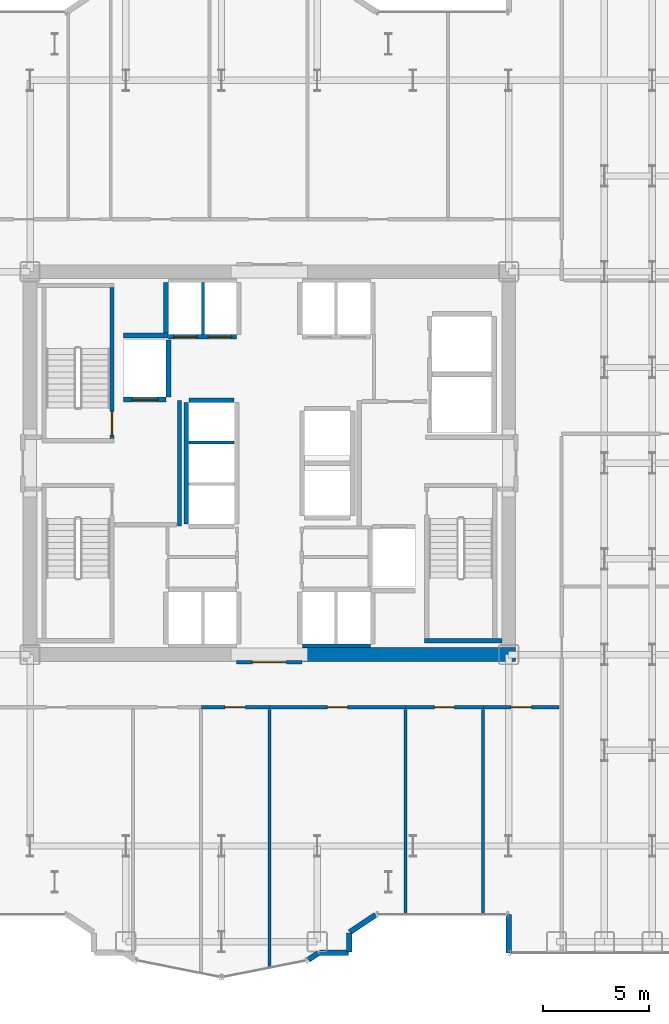
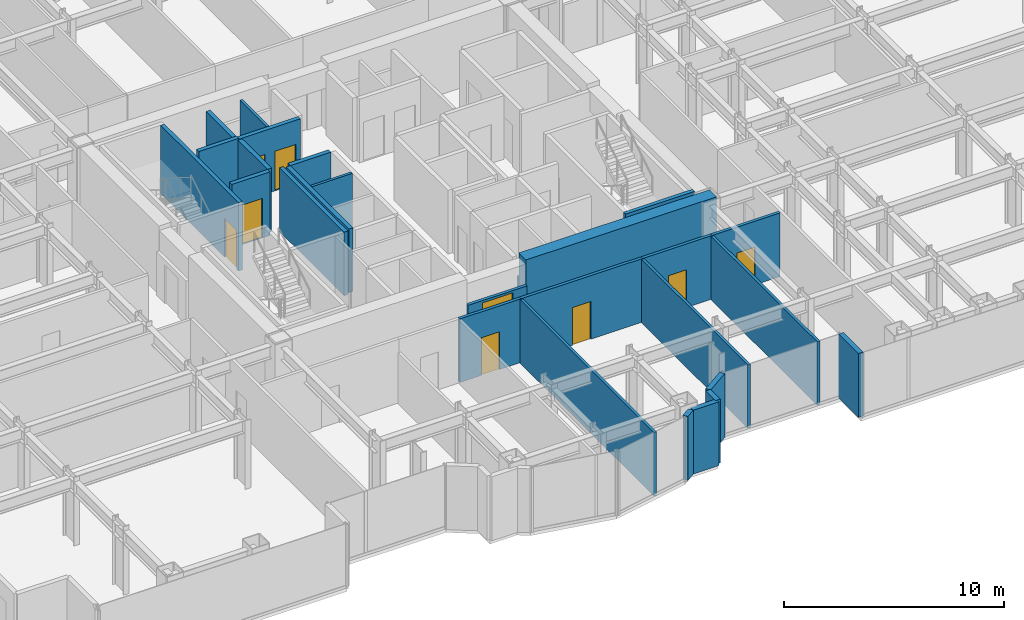
# One storey, part 21 of 25: 27 walls, 9 doors, 9 openings.
"""IFC4 building model written with IfcOpenShell, lengths in metres."""

import ifcopenshell
import ifcopenshell.guid

model = None  # the IFC model being written
_history = None  # IfcOwnerHistory: only IFC2X3 demands one
_inside = {}  # id of a spatial element -> (the spatial element, [elements in it])
_under = {}  # id of a project, library or spatial element -> (it, [spatial elements below it])
_declared = {}  # id of a project -> (the project, [libraries it declares])
_typed = {}  # id of a type object -> (the type object, [elements of that type])
_made_of = {}  # id of a material, layer set ... -> (it, [elements and type objects made of it])


def new_model(schema):
    """Start an empty IFC model of exactly this schema.

    Asked for "IFC4X3", IfcOpenShell would pick the latest addendum, in which some entities
    have other attributes; the version numbers below select the first issue.
    IFC2X3 requires an IfcOwnerHistory on every rooted entity: one is made here for all.
    """
    global model, _history
    if schema == "IFC4X3":
        model = ifcopenshell.file(schema_version=(4, 3, 0, 0))
    else:
        model = ifcopenshell.file(schema=schema)
    _inside.clear()
    _under.clear()
    _declared.clear()
    _typed.clear()
    _made_of.clear()
    _history = None
    if model.schema == "IFC2X3":
        org = make("IfcOrganization", Name="unknown")
        user = make(
            "IfcPersonAndOrganization",
            ThePerson=make("IfcPerson", FamilyName="unknown"),
            TheOrganization=org,
        )
        app = make(
            "IfcApplication",
            ApplicationDeveloper=org,
            Version="unknown",
            ApplicationFullName="unknown",
            ApplicationIdentifier="unknown",
        )
        _history = make(
            "IfcOwnerHistory",
            OwningUser=user,
            OwningApplication=app,
            ChangeAction="ADDED",
            CreationDate=0,
        )
    return model


def make(cls, **values):
    """One entity of the class cls with the attributes given. An attribute that is None is left unset."""
    return model.create_entity(
        cls, **{name: value for name, value in values.items() if value is not None}
    )


def rooted(cls, **values):
    """An entity with a GlobalId (a new one), such as an element, a storey or a relation."""
    return make(cls, GlobalId=ifcopenshell.guid.new(), OwnerHistory=_history, **values)


def si_unit(unit_type, name, prefix=None):
    """IfcSIUnit, for example si_unit("LENGTHUNIT", "METRE", prefix="MILLI")."""
    return make("IfcSIUnit", UnitType=unit_type, Prefix=prefix, Name=name)


def assignment(units):
    """IfcUnitAssignment: the units of a project."""
    return None if units is None else make("IfcUnitAssignment", Units=units)


def point(xyz):
    """IfcCartesianPoint."""
    return None if xyz is None else make("IfcCartesianPoint", Coordinates=xyz)


def direction(xyz):
    """IfcDirection."""
    return None if xyz is None else make("IfcDirection", DirectionRatios=xyz)


def frame(location, z_axis=None, x_axis=None):
    """IfcAxis2Placement3D, a coordinate frame: its origin and axes. An axis left out is left unset."""
    return make(
        "IfcAxis2Placement3D",
        Location=point(location),
        Axis=direction(z_axis),
        RefDirection=direction(x_axis),
    )


def frame_2d(location, x_axis=None):
    """IfcAxis2Placement2D, a coordinate frame in the plane: its origin and x axis."""
    return make(
        "IfcAxis2Placement2D", Location=point(location), RefDirection=direction(x_axis)
    )


def origin():
    """The frame at (0, 0, 0) with its axes left unset."""
    return frame((0.0, 0.0, 0.0))


def place(relative_to, where):
    """IfcLocalPlacement: puts the frame where relative to a parent placement (None: the world)."""
    return make(
        "IfcLocalPlacement", PlacementRelTo=relative_to, RelativePlacement=where
    )


def context(
    kind, dimensions, precision=None, world=None, true_north=None, identifier=None
):
    """IfcGeometricRepresentationContext, for example the 3D "Model" context."""
    return make(
        "IfcGeometricRepresentationContext",
        ContextIdentifier=identifier,
        ContextType=kind,
        CoordinateSpaceDimension=dimensions,
        Precision=precision,
        WorldCoordinateSystem=world,
        TrueNorth=true_north,
    )


def subcontext(parent, identifier, kind, view, scale=None):
    """IfcGeometricRepresentationSubContext, for example "Body" below "Model"."""
    return make(
        "IfcGeometricRepresentationSubContext",
        ContextIdentifier=identifier,
        ContextType=kind,
        ParentContext=parent,
        TargetScale=scale,
        TargetView=view,
    )


def project(units=None, contexts=None):
    """IfcProject with its units and contexts."""
    return rooted(
        "IfcProject",
        Name="project",
        RepresentationContexts=contexts,
        UnitsInContext=assignment(units),
    )


def spatial(cls, under=None, at=None, **own):
    """A site, building, storey or space (cls), placed at a placement, below another one or the project."""
    s = rooted(cls, ObjectPlacement=at, **own)
    if under is not None:
        _under.setdefault(under.id(), (under, []))[1].append(s)
    return s


def profile(cls, at=None, kind="AREA", **sizes):
    """A parametric profile (cls). Its sizes go by their IFC names, for example OverallWidth=200.0."""
    return make(cls, ProfileType=kind, Position=at, **sizes)


def rectangle(**sizes):
    """IfcRectangleProfileDef."""
    return profile("IfcRectangleProfileDef", **sizes)


def extrude(swept, where, along, depth):
    """IfcExtrudedAreaSolid: the profile swept, set in the frame where, extruded along a direction by depth."""
    return make(
        "IfcExtrudedAreaSolid",
        SweptArea=swept,
        Position=where,
        ExtrudedDirection=direction(along),
        Depth=depth,
    )


def shape(context_of_items, identifier, shape_type, items):
    """IfcShapeRepresentation: the items that make up one representation, for example the "Body"."""
    return make(
        "IfcShapeRepresentation",
        ContextOfItems=context_of_items,
        RepresentationIdentifier=identifier,
        RepresentationType=shape_type,
        Items=items,
    )


def source(mapping_origin, context_of_items, identifier, shape_type, items):
    """IfcRepresentationMap: a shape defined once, which mapped items show again and again."""
    return make(
        "IfcRepresentationMap",
        MappingOrigin=mapping_origin,
        MappedRepresentation=shape(context_of_items, identifier, shape_type, items),
    )


def transform(
    local_origin,
    x_axis=None,
    y_axis=None,
    z_axis=None,
    scale=None,
    scale2=None,
    scale3=None,
    uniform=True,
):
    """IfcCartesianTransformationOperator3D, or its non-uniform kind. x_axis, y_axis, z_axis: its Axis1, 2, 3."""
    if uniform:
        return make(
            "IfcCartesianTransformationOperator3D",
            Axis1=direction(x_axis),
            Axis2=direction(y_axis),
            LocalOrigin=point(local_origin),
            Scale=scale,
            Axis3=direction(z_axis),
        )
    return make(
        "IfcCartesianTransformationOperator3DnonUniform",
        Axis1=direction(x_axis),
        Axis2=direction(y_axis),
        LocalOrigin=point(local_origin),
        Scale=scale,
        Axis3=direction(z_axis),
        Scale2=scale2,
        Scale3=scale3,
    )


def mapped(mapping_source, mapping_target):
    """IfcMappedItem: shows the shape of a source again, moved by a transform."""
    return make(
        "IfcMappedItem", MappingSource=mapping_source, MappingTarget=mapping_target
    )


def material(Name=None, Category=None):
    """IfcMaterial."""
    return make("IfcMaterial", Name=Name, Category=Category)


def layer(
    of_material, thickness, ventilated=None, Name=None, Category=None, Priority=None
):
    """IfcMaterialLayer: one layer of a wall or slab, of a material (None: an air gap)."""
    return make(
        "IfcMaterialLayer",
        Material=of_material,
        LayerThickness=thickness,
        IsVentilated=ventilated,
        Name=Name,
        Category=Category,
        Priority=Priority,
    )


def layer_set(layers, Name=None):
    """IfcMaterialLayerSet."""
    return make("IfcMaterialLayerSet", MaterialLayers=layers, LayerSetName=Name)


def made_of(thing, what):
    """Note that an element or type object is made of a material, layer set ...; save() writes the relation."""
    if what is not None:
        _made_of.setdefault(what.id(), (what, []))[1].append(thing)
    return thing


def type_object(cls, material=None, **own):
    """A type object (cls), such as IfcWallType, which elements share."""
    return made_of(rooted(cls, **own), material)


def element(
    cls,
    number,
    at=None,
    inside=None,
    cuts=None,
    type_object=None,
    material=None,
    context=None,
    identifier="Body",
    shape_type=None,
    held_by="IfcProductDefinitionShape",
    body=None,
    shapes=None,
    **own,
):
    """One element of the class cls, such as IfcWall. Its Tag is "e" and its number.

    at: its placement. inside: the storey or other place that contains it. cuts: it is an
    opening in that element (IfcRelVoidsElement). A single representation is given by context,
    identifier, shape_type and body (its items); several are given by shapes. held_by: the class
    of the entity that holds the representations. save() writes the other relations.
    """
    e = rooted(cls, Tag="e%d" % number, ObjectPlacement=at, **own)
    if body is not None:
        shapes = [shape(context, identifier, shape_type, body)]
    if shapes is not None:
        e.Representation = make(held_by, Representations=shapes)
    if inside is not None:
        _inside.setdefault(inside.id(), (inside, []))[1].append(e)
    if cuts is not None:
        rooted(
            "IfcRelVoidsElement", RelatingBuildingElement=cuts, RelatedOpeningElement=e
        )
    if type_object is not None:
        _typed.setdefault(type_object.id(), (type_object, []))[1].append(e)
    return made_of(e, material)


def fill(opening, filler):
    """IfcRelFillsElement: the door or window that sits in an opening."""
    return rooted(
        "IfcRelFillsElement",
        RelatingOpeningElement=opening,
        RelatedBuildingElement=filler,
    )


def aggregate(whole, parts):
    """IfcRelAggregates: a whole, such as a stair, and the parts it consists of."""
    return rooted("IfcRelAggregates", RelatingObject=whole, RelatedObjects=parts)


def save(model, path):
    """Write the relations noted so far, then the file.

    IfcRelAggregates (storeys below a building ...), IfcRelContainedInSpatialStructure (elements
    in a storey), IfcRelDefinesByType, IfcRelAssociatesMaterial and IfcRelDeclares: one each for
    every whole, place, type object, material and project.
    """
    for whole, parts in _under.values():
        aggregate(whole, parts)
    for where, things in _inside.values():
        rooted(
            "IfcRelContainedInSpatialStructure",
            RelatedElements=things,
            RelatingStructure=where,
        )
    for kind, things in _typed.values():
        rooted("IfcRelDefinesByType", RelatedObjects=things, RelatingType=kind)
    for what, things in _made_of.values():
        rooted("IfcRelAssociatesMaterial", RelatedObjects=things, RelatingMaterial=what)
    for by, libraries in _declared.values():
        rooted("IfcRelDeclares", RelatingContext=by, RelatedDefinitions=libraries)
    model.write(path)


model = new_model("IFC4")

# Units and contexts
model_context = context("Model", 3, precision=1e-05, world=origin(), true_north=direction((0.0, 1.0)))
body_context = subcontext(model_context, "Body", "Model", "MODEL_VIEW")
ifc_project = project(units=[si_unit("LENGTHUNIT", "METRE"), si_unit("AREAUNIT", "SQUARE_METRE"), si_unit("VOLUMEUNIT", "CUBIC_METRE"), si_unit("PLANEANGLEUNIT", "RADIAN"), si_unit("MASSUNIT", "GRAM", prefix="KILO")], contexts=[model_context])

# Site, building, storey
site_placement = place(None, origin())
site = spatial("IfcSite", under=ifc_project, at=site_placement, CompositionType="ELEMENT")
building_placement = place(site_placement, origin())
building = spatial("IfcBuilding", under=site, at=building_placement, Name="Nefas-Gora Pilgrimage Tower", CompositionType="ELEMENT")
storey_placement = place(building_placement, frame((0.0, 0.0, 74.800048828125)))
storey = spatial("IfcBuildingStorey", under=building, at=storey_placement, Name="L17", CompositionType="ELEMENT", Elevation=74.800048828125)

# Walls
ifc_material_1 = material(Name="Concrete C60/75", Category="concrete")
ifc_layer_1 = layer(ifc_material_1, 0.64990234375)
ifc_layer_set_1 = layer_set([ifc_layer_1], Name="Concrete C60/75")
wall_type_1 = type_object("IfcWallType", Name="SW-CORE-650", PredefinedType="SHEAR", material=ifc_layer_set_1)
shared_shape_1 = source(origin(), body_context, "Body", "SweptSolid", [
    extrude(rectangle(XDim=10.02490234375, YDim=0.64990234375, at=frame_2d((5.012451171875, 0.0))), origin(), (0.0, 0.0, 1.0), 3.800048828125),
])
wall_1_placement = place(storey_placement, frame((1.550048828125, -9.0, 0.0), z_axis=(0.0, 0.0, 1.0), x_axis=(1.0, 0.0, 0.0)))
element("IfcWall", 1, at=wall_1_placement, inside=storey, type_object=wall_type_1, Name="L17 Core Shear Wall S-East", PredefinedType="SHEAR", context=body_context, shape_type="MappedRepresentation", body=[
    mapped(shared_shape_1, transform((0.0, 0.0, 0.0), x_axis=(1.0, 0.0, 0.0), y_axis=(0.0, 1.0, 0.0), z_axis=(0.0, 0.0, 1.0), scale=1.0)),
])
ifc_material_2 = material(Name="Precast concrete C40/50", Category="concrete")
ifc_layer_2 = layer(ifc_material_2, 0.260009765625)
ifc_layer_set_2 = layer_set([ifc_layer_2], Name="Precast concrete C40/50")
wall_type_2 = type_object("IfcWallType", Name="EW-PORTAL-260", PredefinedType="SOLIDWALL", material=ifc_layer_set_2)
shared_shape_2 = source(origin(), body_context, "Body", "SweptSolid", [
    extrude(rectangle(XDim=1.800048828125, YDim=0.260009765625, at=frame_2d((0.89990234375, 0.0))), origin(), (0.0, 0.0, 1.0), 3.550048828125),
])
wall_2_placement = place(storey_placement, frame((11.25, -21.219970703125, 0.0), z_axis=(0.0, 0.0, 1.0), x_axis=(0.0, -1.0, 0.0)))
element("IfcWall", 2, at=wall_2_placement, inside=storey, type_object=wall_type_2, Name="L17 Lobe Shoulder Precast Spandrel Pier 1", PredefinedType="SOLIDWALL", context=body_context, shape_type="MappedRepresentation", body=[
    mapped(shared_shape_2, transform((0.0, 0.0, 0.0), x_axis=(1.0, 0.0, 0.0), y_axis=(0.0, 1.0, 0.0), z_axis=(0.0, 0.0, 1.0), scale=1.0)),
])
shared_shape_3 = source(origin(), body_context, "Body", "SweptSolid", [
    extrude(rectangle(XDim=1.468994140625, YDim=0.260009765625, at=frame_2d((0.734375, 0.0))), origin(), (0.0, 0.0, 1.0), 3.550048828125),
])
wall_3_placement = place(storey_placement, frame((3.773193359375, -22.0517578125, 0.0), z_axis=(0.0, 0.0, 1.0), x_axis=(0.831461760506, 0.555581983884, 0.0)))
element("IfcWall", 3, at=wall_3_placement, inside=storey, type_object=wall_type_2, Name="L17 Lobe Shoulder Precast Spandrel Pier 36", PredefinedType="SOLIDWALL", context=body_context, shape_type="MappedRepresentation", body=[
    mapped(shared_shape_3, transform((0.0, 0.0, 0.0), x_axis=(1.0, 0.0, 0.0), y_axis=(0.0, 1.0, 0.0), z_axis=(0.0, 0.0, 1.0), scale=1.0)),
])
shared_shape_4 = source(origin(), body_context, "Body", "SweptSolid", [
    extrude(rectangle(XDim=0.896728515625, YDim=0.260009765625, at=frame_2d((0.4482421875, 0.0))), origin(), (0.0, 0.0, 1.0), 3.550048828125),
])
wall_4_placement = place(storey_placement, frame((3.75, -22.991943359375, 0.0), z_axis=(0.0, 0.0, 1.0), x_axis=(0.0, 1.0, 0.0)))
element("IfcWall", 4, at=wall_4_placement, inside=storey, type_object=wall_type_2, Name="L17 Lobe Shoulder Precast Spandrel Pier 35", PredefinedType="SOLIDWALL", context=body_context, shape_type="MappedRepresentation", body=[
    mapped(shared_shape_4, transform((0.0, 0.0, 0.0), x_axis=(1.0, 0.0, 0.0), y_axis=(0.0, 1.0, 0.0), z_axis=(0.0, 0.0, 1.0), scale=1.0)),
])
shared_shape_5 = source(origin(), body_context, "Body", "SweptSolid", [
    extrude(rectangle(XDim=1.369873046875, YDim=0.260009765625, at=frame_2d((0.68505859375, 0.0))), origin(), (0.0, 0.0, 1.0), 3.550048828125),
])
wall_5_placement = place(storey_placement, frame((2.35205078125, -23.02001953125, 0.0), z_axis=(0.0, 0.0, 1.0), x_axis=(1.0, 0.0, 0.0)))
element("IfcWall", 5, at=wall_5_placement, inside=storey, type_object=wall_type_2, Name="L17 Lobe Shoulder Precast Spandrel Pier 34", PredefinedType="SOLIDWALL", context=body_context, shape_type="MappedRepresentation", body=[
    mapped(shared_shape_5, transform((0.0, 0.0, 0.0), x_axis=(1.0, 0.0, 0.0), y_axis=(0.0, 1.0, 0.0), z_axis=(0.0, 0.0, 1.0), scale=1.0)),
])
shared_shape_6 = source(origin(), body_context, "Body", "SweptSolid", [
    extrude(rectangle(XDim=0.5654296875, YDim=0.260009765625, at=frame_2d((0.28271484375, 0.0))), origin(), (0.0, 0.0, 1.0), 3.550048828125),
])
wall_6_placement = place(storey_placement, frame((1.83056640625, -23.349609375, 0.0), z_axis=(0.0, 0.0, 1.0), x_axis=(0.831651492666, 0.555297933317, 0.0)))
element("IfcWall", 6, at=wall_6_placement, inside=storey, type_object=wall_type_2, Name="L17 Lobe Shoulder Precast Spandrel Pier 33", PredefinedType="SOLIDWALL", context=body_context, shape_type="MappedRepresentation", body=[
    mapped(shared_shape_6, transform((0.0, 0.0, 0.0), x_axis=(1.0, 0.0, 0.0), y_axis=(0.0, 1.0, 0.0), z_axis=(0.0, 0.0, 1.0), scale=1.0)),
])
ifc_material_3 = material(Name="Concrete C45/55", Category="concrete")
ifc_layer_3 = layer(ifc_material_3, 0.199951171875)
ifc_layer_set_3 = layer_set([ifc_layer_3], Name="Concrete C45/55")
wall_type_3 = type_object("IfcWallType", Name="IW-STAIR-200", PredefinedType="SOLIDWALL", material=ifc_layer_set_3)
shared_shape_7 = source(origin(), body_context, "Body", "SweptSolid", [
    extrude(rectangle(XDim=3.6298828125, YDim=0.199951171875, at=frame_2d((1.81494140625, 0.0))), origin(), (0.0, 0.0, 1.0), 3.800048828125),
])
wall_7_placement = place(storey_placement, frame((7.300048828125, -8.35009765625, 0.0), z_axis=(0.0, 0.0, 1.0), x_axis=(1.0, 0.0, 0.0)))
element("IfcWall", 7, at=wall_7_placement, inside=storey, type_object=wall_type_3, Name="L17 Stairwell Shear Wall ST-02-far", PredefinedType="SOLIDWALL", context=body_context, shape_type="MappedRepresentation", body=[
    mapped(shared_shape_7, transform((0.0, 0.0, 0.0), x_axis=(1.0, 0.0, 0.0), y_axis=(0.0, 1.0, 0.0), z_axis=(0.0, 0.0, 1.0), scale=1.0)),
])

# Wall, opening, door
shared_shape_8 = source(origin(), body_context, "Body", "SweptSolid", [
    extrude(rectangle(XDim=7.10009765625, YDim=0.199951171875, at=frame_2d((3.550048828125, 0.0))), origin(), (0.0, 0.0, 1.0), 3.800048828125),
])
wall_8_placement = place(storey_placement, frame((-7.39990234375, 1.14990234375, 0.0), z_axis=(0.0, 0.0, 1.0), x_axis=(0.0, 1.0, 0.0)))
wall_8 = element("IfcWall", 8, at=wall_8_placement, inside=storey, type_object=wall_type_3, Name="L17 Stairwell Shear Wall ST-01-left", PredefinedType="SOLIDWALL", context=body_context, shape_type="MappedRepresentation", body=[
    mapped(shared_shape_8, transform((0.0, 0.0, 0.0), x_axis=(1.0, 0.0, 0.0), y_axis=(0.0, 1.0, 0.0), z_axis=(0.0, 0.0, 1.0), scale=1.0)),
])
opening_1_placement = place(wall_8_placement, frame((0.179931640625, 0.0, 0.0)))
opening_1 = element("IfcOpeningElement", 9, at=opening_1_placement, cuts=wall_8, Name="Opening ID-ST1", PredefinedType="OPENING", context=body_context, shape_type="SweptSolid", body=[
    extrude(rectangle(XDim=1.10009765625, YDim=2.14990234375, at=frame_2d((0.550048828125, 1.074951171875))), frame((0.0, 0.10986328125, 0.0), z_axis=(0.0, -1.0, 0.0), x_axis=(1.0, 0.0, 0.0)), (0.0, 0.0, 1.0), 0.219970703125),
])
ifc_material_4 = material(Name="Painted galvanised steel fire stair door", Category="steel")
door_type_1 = type_object("IfcDoorType", Name="DR-INT-STAIR-1100", OperationType="NOTDEFINED", PredefinedType="DOOR", material=ifc_material_4)
shared_shape_9 = source(origin(), body_context, "Body", "SweptSolid", [
    extrude(rectangle(XDim=1.10009765625, YDim=2.14990234375, at=frame_2d((0.550048828125, 1.074951171875))), frame((0.0, 0.02490234375, 0.0), z_axis=(0.0, -1.0, 0.0), x_axis=(1.0, 0.0, 0.0)), (0.0, 0.0, 1.0), 0.050048828125),
])
door_1_placement = place(opening_1_placement, origin())
door_1 = element("IfcDoor", 10, at=door_1_placement, inside=storey, type_object=door_type_1, Name="L17 Protected Exit Stair Door ST-01", OperationType="SINGLE_SWING_LEFT", OverallHeight=2.14990234375, OverallWidth=1.10009765625, PredefinedType="DOOR", context=body_context, shape_type="MappedRepresentation", body=[
    mapped(shared_shape_9, transform((0.0, 0.0, 0.0), x_axis=(1.0, 0.0, 0.0), y_axis=(0.0, 1.0, 0.0), z_axis=(0.0, 0.0, 1.0), scale=1.0)),
])
fill(opening_1, door_1)

ifc_material_5 = material(Name="Concrete C40/50", Category="concrete")
ifc_layer_4 = layer(ifc_material_5, 0.219970703125)
ifc_layer_set_4 = layer_set([ifc_layer_4], Name="Concrete C40/50")
wall_type_4 = type_object("IfcWallType", Name="IW-SHAFT-220", PredefinedType="SOLIDWALL", material=ifc_layer_set_4)
shared_shape_10 = source(origin(), body_context, "Body", "SweptSolid", [
    extrude(rectangle(XDim=2.0, YDim=0.219970703125, at=frame_2d((1.0, 0.0))), origin(), (0.0, 0.0, 1.0), 3.534912109375),
])
wall_9_placement = place(storey_placement, frame((-6.85009765625, 2.989990234375, 0.0), z_axis=(0.0, 0.0, 1.0), x_axis=(1.0, 0.0, 0.0)))
wall_9 = element("IfcWall", 11, at=wall_9_placement, inside=storey, type_object=wall_type_4, Name="L17 Hoistway Wall FFL-01-S", PredefinedType="SOLIDWALL", context=body_context, shape_type="MappedRepresentation", body=[
    mapped(shared_shape_10, transform((0.0, 0.0, 0.0), x_axis=(1.0, 0.0, 0.0), y_axis=(0.0, 1.0, 0.0), z_axis=(0.0, 0.0, 1.0), scale=1.0)),
])
opening_2_placement = place(wall_9_placement, frame((0.39990234375, 0.0, 0.0)))
opening_2 = element("IfcOpeningElement", 12, at=opening_2_placement, cuts=wall_9, Name="Opening LD-FF", PredefinedType="OPENING", context=body_context, shape_type="SweptSolid", body=[
    extrude(rectangle(XDim=1.199951171875, YDim=2.199951171875, at=frame_2d((0.60009765625, 1.10009765625))), frame((0.0, 0.119873046875, 0.0), z_axis=(0.0, -1.0, 0.0), x_axis=(1.0, 0.0, 0.0)), (0.0, 0.0, 1.0), 0.239990234375),
])
ifc_material_6 = material(Name="Fire-service sliding lift landing door")
door_type_2 = type_object("IfcDoorType", Name="DR-LIFT-FSAE-1200", OperationType="SLIDING_TO_LEFT", PredefinedType="DOOR", material=ifc_material_6)
shared_shape_11 = source(origin(), body_context, "Body", "SweptSolid", [
    extrude(rectangle(XDim=1.199951171875, YDim=2.199951171875, at=frame_2d((0.60009765625, 1.10009765625))), frame((0.0, 0.02490234375, 0.0), z_axis=(0.0, -1.0, 0.0), x_axis=(1.0, 0.0, 0.0)), (0.0, 0.0, 1.0), 0.050048828125),
])
door_2_placement = place(opening_2_placement, origin())
door_2 = element("IfcDoor", 13, at=door_2_placement, inside=storey, type_object=door_type_2, Name="L17 Sliding Lift Landing Door FFL-01", OperationType="SLIDING_TO_LEFT", OverallHeight=2.199951171875, OverallWidth=1.199951171875, PredefinedType="DOOR", context=body_context, shape_type="MappedRepresentation", body=[
    mapped(shared_shape_11, transform((0.0, 0.0, 0.0), x_axis=(1.0, 0.0, 0.0), y_axis=(0.0, 1.0, 0.0), z_axis=(0.0, 0.0, 1.0), scale=1.0)),
])
fill(opening_2, door_2)

# Wall
shared_shape_12 = source(origin(), body_context, "Body", "SweptSolid", [
    extrude(rectangle(XDim=2.679931640625, YDim=0.219970703125, at=frame_2d((1.33984375, 0.0))), origin(), (0.0, 0.0, 1.0), 3.534912109375),
])
wall_10_placement = place(storey_placement, frame((-4.739990234375, 3.110107421875, 0.0), z_axis=(0.0, 0.0, 1.0), x_axis=(0.0, 1.0, 0.0)))
element("IfcWall", 14, at=wall_10_placement, inside=storey, type_object=wall_type_4, Name="L17 Hoistway Wall FFL-01-E", PredefinedType="SOLIDWALL", context=body_context, shape_type="MappedRepresentation", body=[
    mapped(shared_shape_12, transform((0.0, 0.0, 0.0), x_axis=(1.0, 0.0, 0.0), y_axis=(0.0, 1.0, 0.0), z_axis=(0.0, 0.0, 1.0), scale=1.0)),
])

# Wall, openings, doors
shared_shape_13 = source(origin(), body_context, "Body", "SweptSolid", [
    extrude(rectangle(XDim=3.199951171875, YDim=0.219970703125, at=frame_2d((1.60009765625, 0.0))), origin(), (0.0, 0.0, 1.0), 3.534912109375),
])
wall_11_placement = place(storey_placement, frame((-4.75, 5.93994140625, 0.0), z_axis=(0.0, 0.0, 1.0), x_axis=(1.0, 0.0, 0.0)))
wall_11 = element("IfcWall", 15, at=wall_11_placement, inside=storey, type_object=wall_type_4, Name="L17 Hoistway Wall PL1-W-S", PredefinedType="SOLIDWALL", context=body_context, shape_type="MappedRepresentation", body=[
    mapped(shared_shape_13, transform((0.0, 0.0, 0.0), x_axis=(1.0, 0.0, 0.0), y_axis=(0.0, 1.0, 0.0), z_axis=(0.0, 0.0, 1.0), scale=1.0)),
])
opening_3_placement = place(wall_11_placement, frame((0.25, 0.0, 0.0)))
opening_3 = element("IfcOpeningElement", 16, at=opening_3_placement, cuts=wall_11, Name="Opening LD-01", PredefinedType="OPENING", context=body_context, shape_type="SweptSolid", body=[
    extrude(rectangle(XDim=1.10009765625, YDim=2.199951171875, at=frame_2d((0.550048828125, 1.10009765625))), frame((0.0, 0.119873046875, 0.0), z_axis=(0.0, -1.0, 0.0), x_axis=(1.0, 0.0, 0.0)), (0.0, 0.0, 1.0), 0.239990234375),
])
opening_4_placement = place(wall_11_placement, frame((1.875, 0.0, 0.0)))
opening_4 = element("IfcOpeningElement", 17, at=opening_4_placement, cuts=wall_11, Name="Opening LD-01", PredefinedType="OPENING", context=body_context, shape_type="SweptSolid", body=[
    extrude(rectangle(XDim=1.10009765625, YDim=2.199951171875, at=frame_2d((0.550048828125, 1.10009765625))), frame((0.0, 0.119873046875, 0.0), z_axis=(0.0, -1.0, 0.0), x_axis=(1.0, 0.0, 0.0)), (0.0, 0.0, 1.0), 0.239990234375),
])
ifc_material_7 = material(Name="Brushed stainless sliding lift landing door")
door_type_3 = type_object("IfcDoorType", Name="DR-LIFT-PASS-1100", OperationType="DOUBLE_DOOR_SLIDING", PredefinedType="DOOR", material=ifc_material_7)
shared_shape_14 = source(origin(), body_context, "Body", "SweptSolid", [
    extrude(rectangle(XDim=1.10009765625, YDim=2.199951171875, at=frame_2d((0.550048828125, 1.10009765625))), frame((0.0, 0.02490234375, 0.0), z_axis=(0.0, -1.0, 0.0), x_axis=(1.0, 0.0, 0.0)), (0.0, 0.0, 1.0), 0.050048828125),
])
door_3_placement = place(opening_3_placement, origin())
door_3 = element("IfcDoor", 18, at=door_3_placement, inside=storey, type_object=door_type_3, Name="L17 Sliding Lift Landing Door PL1-01", OperationType="DOUBLE_DOOR_SLIDING", OverallHeight=2.199951171875, OverallWidth=1.10009765625, PredefinedType="DOOR", context=body_context, shape_type="MappedRepresentation", body=[
    mapped(shared_shape_14, transform((0.0, 0.0, 0.0), x_axis=(1.0, 0.0, 0.0), y_axis=(0.0, 1.0, 0.0), z_axis=(0.0, 0.0, 1.0), scale=1.0)),
])
fill(opening_3, door_3)
door_4_placement = place(opening_4_placement, origin())
door_4 = element("IfcDoor", 19, at=door_4_placement, inside=storey, type_object=door_type_3, Name="L17 Sliding Lift Landing Door PL1-02", OperationType="DOUBLE_DOOR_SLIDING", OverallHeight=2.199951171875, OverallWidth=1.10009765625, PredefinedType="DOOR", context=body_context, shape_type="MappedRepresentation", body=[
    mapped(shared_shape_14, transform((0.0, 0.0, 0.0), x_axis=(1.0, 0.0, 0.0), y_axis=(0.0, 1.0, 0.0), z_axis=(0.0, 0.0, 1.0), scale=1.0)),
])
fill(opening_4, door_4)

# Walls
ifc_material_8 = material(Name="Gypsum acoustic stud partition")
ifc_layer_5 = layer(ifc_material_8, 0.159912109375)
ifc_layer_set_5 = layer_set([ifc_layer_5], Name="Gypsum acoustic stud partition")
wall_type_5 = type_object("IfcWallType", Name="IW-CORR-160", PredefinedType="PARTITIONING", material=ifc_layer_set_5)
shared_shape_15 = source(origin(), body_context, "Body", "SweptSolid", [
    extrude(rectangle(XDim=3.199951171875, YDim=0.159912109375, at=frame_2d((1.60009765625, 0.0))), origin(), (0.0, 0.0, 1.0), 2.425048828125),
])
wall_12_placement = place(storey_placement, frame((1.550048828125, -8.580078125, 0.0), z_axis=(0.0, 0.0, 1.0), x_axis=(1.0, 0.0, 0.0)))
element("IfcWall", 20, at=wall_12_placement, inside=storey, type_object=wall_type_5, Name="L17 Hoistway Wall PL2-E-S", PredefinedType="PARTITIONING", context=body_context, shape_type="MappedRepresentation", body=[
    mapped(shared_shape_15, transform((0.0, 0.0, 0.0), x_axis=(1.0, 0.0, 0.0), y_axis=(0.0, 1.0, 0.0), z_axis=(0.0, 0.0, 1.0), scale=1.0)),
])
shared_shape_16 = source(origin(), body_context, "Body", "SweptSolid", [
    extrude(rectangle(XDim=2.429931640625, YDim=0.219970703125, at=frame_2d((1.21484375, 0.0))), origin(), (0.0, 0.0, 1.0), 3.534912109375),
])
wall_13_placement = place(storey_placement, frame((-4.860107421875, 8.489990234375, 0.0), z_axis=(0.0, 0.0, 1.0), x_axis=(0.0, -1.0, 0.0)))
element("IfcWall", 21, at=wall_13_placement, inside=storey, type_object=wall_type_4, Name="L17 Hoistway Wall PL1-W-W", PredefinedType="SOLIDWALL", context=body_context, shape_type="MappedRepresentation", body=[
    mapped(shared_shape_16, transform((0.0, 0.0, 0.0), x_axis=(1.0, 0.0, 0.0), y_axis=(0.0, 1.0, 0.0), z_axis=(0.0, 0.0, 1.0), scale=1.0)),
])
ifc_material_9 = material(Name="Gypsum twin-stud partition")
ifc_layer_6 = layer(ifc_material_9, 0.139892578125)
ifc_layer_set_6 = layer_set([ifc_layer_6], Name="Gypsum twin-stud partition")
wall_type_6 = type_object("IfcWallType", Name="IW-UNIT-140", PredefinedType="PARTITIONING", material=ifc_layer_set_6)
shared_shape_17 = source(origin(), body_context, "Body", "SweptSolid", [
    extrude(rectangle(XDim=2.429931640625, YDim=0.139892578125, at=frame_2d((1.21484375, 0.0))), origin(), (0.0, 0.0, 1.0), 3.534912109375),
])
wall_14_placement = place(storey_placement, frame((-3.125, 6.06005859375, 0.0), z_axis=(0.0, 0.0, 1.0), x_axis=(0.0, 1.0, 0.0)))
element("IfcWall", 22, at=wall_14_placement, inside=storey, type_object=wall_type_6, Name="L17 Hoistway Wall PL1-W-DIV", PredefinedType="PARTITIONING", context=body_context, shape_type="MappedRepresentation", body=[
    mapped(shared_shape_17, transform((0.0, 0.0, 0.0), x_axis=(1.0, 0.0, 0.0), y_axis=(0.0, 1.0, 0.0), z_axis=(0.0, 0.0, 1.0), scale=1.0)),
])
shared_shape_18 = source(origin(), body_context, "Body", "SweptSolid", [
    extrude(rectangle(XDim=5.7001953125, YDim=0.219970703125, at=frame_2d((2.85009765625, 0.0))), origin(), (0.0, 0.0, 1.0), 3.534912109375),
])
wall_15_placement = place(storey_placement, frame((-3.909912109375, 2.85009765625, 0.0), z_axis=(0.0, 0.0, 1.0), x_axis=(0.0, -1.0, 0.0)))
element("IfcWall", 23, at=wall_15_placement, inside=storey, type_object=wall_type_4, Name="L17 Hoistway Wall PL3-01-03-W", PredefinedType="SOLIDWALL", context=body_context, shape_type="MappedRepresentation", body=[
    mapped(shared_shape_18, transform((0.0, 0.0, 0.0), x_axis=(1.0, 0.0, 0.0), y_axis=(0.0, 1.0, 0.0), z_axis=(0.0, 0.0, 1.0), scale=1.0)),
])
shared_shape_19 = source(origin(), body_context, "Body", "SweptSolid", [
    extrude(rectangle(XDim=2.130126953125, YDim=0.219970703125, at=frame_2d((1.06494140625, 0.0))), origin(), (0.0, 0.0, 1.0), 3.534912109375),
])
wall_16_placement = place(storey_placement, frame((-1.659912109375, 2.9599609375, 0.0), z_axis=(0.0, 0.0, 1.0), x_axis=(-1.0, 0.0, 0.0)))
element("IfcWall", 24, at=wall_16_placement, inside=storey, type_object=wall_type_4, Name="L17 Hoistway Wall PL3-03-N", PredefinedType="SOLIDWALL", context=body_context, shape_type="MappedRepresentation", body=[
    mapped(shared_shape_19, transform((0.0, 0.0, 0.0), x_axis=(1.0, 0.0, 0.0), y_axis=(0.0, 1.0, 0.0), z_axis=(0.0, 0.0, 1.0), scale=1.0)),
])
shared_shape_20 = source(origin(), body_context, "Body", "SweptSolid", [
    extrude(rectangle(XDim=2.130126953125, YDim=0.139892578125, at=frame_2d((1.06494140625, 0.0))), origin(), (0.0, 0.0, 1.0), 3.534912109375),
])
wall_17_placement = place(storey_placement, frame((-3.7900390625, 0.97509765625, 0.0), z_axis=(0.0, 0.0, 1.0), x_axis=(1.0, 0.0, 0.0)))
element("IfcWall", 25, at=wall_17_placement, inside=storey, type_object=wall_type_6, Name="L17 Hoistway Wall PL3-02-03-DIV", PredefinedType="PARTITIONING", context=body_context, shape_type="MappedRepresentation", body=[
    mapped(shared_shape_20, transform((0.0, 0.0, 0.0), x_axis=(1.0, 0.0, 0.0), y_axis=(0.0, 1.0, 0.0), z_axis=(0.0, 0.0, 1.0), scale=1.0)),
])
shared_shape_21 = source(origin(), body_context, "Body", "SweptSolid", [
    extrude(rectangle(XDim=2.09521484375, YDim=0.219970703125, at=frame_2d((1.047607421875, 0.0))), origin(), (0.0, 0.0, 1.0), 3.534912109375),
])
wall_18_placement = place(storey_placement, frame((-6.85009765625, 6.0, 0.0), z_axis=(0.0, 0.0, 1.0), x_axis=(1.0, 0.0, 0.0)))
element("IfcWall", 26, at=wall_18_placement, inside=storey, type_object=wall_type_4, Name="L17 Riser Shaft Wall 1", PredefinedType="SOLIDWALL", context=body_context, shape_type="MappedRepresentation", body=[
    mapped(shared_shape_21, transform((0.0, 0.0, 0.0), x_axis=(1.0, 0.0, 0.0), y_axis=(0.0, 1.0, 0.0), z_axis=(0.0, 0.0, 1.0), scale=1.0)),
])
ifc_material_10 = material(Name="Gypsum fire-rated shaftwall")
ifc_layer_7 = layer(ifc_material_10, 0.199951171875)
ifc_layer_set_7 = layer_set([ifc_layer_7], Name="Gypsum fire-rated shaftwall")
wall_type_7 = type_object("IfcWallType", Name="IW-FFLOB-200", PredefinedType="PARTITIONING", material=ifc_layer_set_7)
shared_shape_22 = source(origin(), body_context, "Body", "SweptSolid", [
    extrude(rectangle(XDim=5.89990234375, YDim=0.199951171875, at=frame_2d((2.949951171875, 0.0))), origin(), (0.0, 0.0, 1.0), 3.534912109375),
])
wall_19_placement = place(storey_placement, frame((-4.219970703125, -2.949951171875, 0.0), z_axis=(0.0, 0.0, 1.0), x_axis=(0.0, 1.0, 0.0)))
element("IfcWall", 27, at=wall_19_placement, inside=storey, type_object=wall_type_7, Name="L17 FF Lobby West Inner Wall Wall 4", PredefinedType="PARTITIONING", context=body_context, shape_type="MappedRepresentation", body=[
    mapped(shared_shape_22, transform((0.0, 0.0, 0.0), x_axis=(1.0, 0.0, 0.0), y_axis=(0.0, 1.0, 0.0), z_axis=(0.0, 0.0, 1.0), scale=1.0)),
])

# Wall, opening, door
shared_shape_23 = source(origin(), body_context, "Body", "SweptSolid", [
    extrude(rectangle(XDim=3.08984375, YDim=0.159912109375, at=frame_2d((1.544921875, 0.0))), origin(), (0.0, 0.0, 1.0), 2.425048828125),
])
wall_20_placement = place(storey_placement, frame((-1.544921875, -9.35009765625, 0.0), z_axis=(0.0, 0.0, 1.0), x_axis=(1.0, 0.0, 0.0)))
wall_20 = element("IfcWall", 28, at=wall_20_placement, inside=storey, type_object=wall_type_5, Name="L17 Central Lift Lobby South Portal Wall 14", PredefinedType="PARTITIONING", context=body_context, shape_type="MappedRepresentation", body=[
    mapped(shared_shape_23, transform((0.0, 0.0, 0.0), x_axis=(1.0, 0.0, 0.0), y_axis=(0.0, 1.0, 0.0), z_axis=(0.0, 0.0, 1.0), scale=1.0)),
])
opening_5_placement = place(wall_20_placement, frame((0.7451171875, 0.0, 0.0)))
opening_5 = element("IfcOpeningElement", 29, at=opening_5_placement, cuts=wall_20, Name="Opening ID-HL1", PredefinedType="OPENING", context=body_context, shape_type="SweptSolid", body=[
    extrude(rectangle(XDim=1.60009765625, YDim=2.300048828125, at=frame_2d((0.800048828125, 1.14990234375))), frame((0.0, 0.08984375, 0.0), z_axis=(0.0, -1.0, 0.0), x_axis=(1.0, 0.0, 0.0)), (0.0, 0.0, 1.0), 0.179931640625),
])
ifc_material_11 = material(Name="Double acoustic timber assembly hall door", Category="wood")
door_type_4 = type_object("IfcDoorType", Name="DR-INT-HALL-1600", OperationType="DOUBLE_DOOR_SINGLE_SWING", PredefinedType="DOOR", material=ifc_material_11)
shared_shape_24 = source(origin(), body_context, "Body", "SweptSolid", [
    extrude(rectangle(XDim=1.60009765625, YDim=2.300048828125, at=frame_2d((0.800048828125, 1.14990234375))), frame((0.0, 0.02490234375, 0.0), z_axis=(0.0, -1.0, 0.0), x_axis=(1.0, 0.0, 0.0)), (0.0, 0.0, 1.0), 0.050048828125),
])
door_5_placement = place(opening_5_placement, origin())
door_5 = element("IfcDoor", 30, at=door_5_placement, inside=storey, type_object=door_type_4, Name="L17 Central Lift Lobby South Portal Door 5", OperationType="DOUBLE_DOOR_SINGLE_SWING", OverallHeight=2.300048828125, OverallWidth=1.60009765625, PredefinedType="DOOR", context=body_context, shape_type="MappedRepresentation", body=[
    mapped(shared_shape_24, transform((0.0, 0.0, 0.0), x_axis=(1.0, 0.0, 0.0), y_axis=(0.0, 1.0, 0.0), z_axis=(0.0, 0.0, 1.0), scale=1.0)),
])
fill(opening_5, door_5)

# Walls
shared_shape_25 = source(origin(), body_context, "Body", "SweptSolid", [
    extrude(rectangle(XDim=9.64990234375, YDim=0.139892578125, at=frame_2d((4.824951171875, 0.0))), origin(), (0.0, 0.0, 1.0), 3.534912109375),
])
for number, where, z_axis, x_axis, name in (
    (31, (6.39501953125, -21.239990234375, 0.0), (0.0, 0.0, 1.0), (0.0, 1.0, 0.0), "L17 Pilgrim Contemplative Lounge Partition Wall 58"),
    (32, (10.050048828125, -21.239990234375, 0.0), (0.0, 0.0, 1.0), (0.0, 1.0, 0.0), "L17 Pilgrim Contemplative Lounge Partition Wall 63"),
):
    element("IfcWall", number, at=place(storey_placement, frame(where, z_axis=z_axis, x_axis=x_axis)), inside=storey, type_object=wall_type_6, Name=name, PredefinedType="PARTITIONING", context=body_context, shape_type="MappedRepresentation", body=[
        mapped(shared_shape_25, transform((0.0, 0.0, 0.0), x_axis=(1.0, 0.0, 0.0), y_axis=(0.0, 1.0, 0.0), z_axis=(0.0, 0.0, 1.0), scale=1.0)),
    ])

# Wall, opening, door
shared_shape_26 = source(origin(), body_context, "Body", "SweptSolid", [
    extrude(rectangle(XDim=6.405029296875, YDim=0.159912109375, at=frame_2d((3.20263671875, 0.0))), origin(), (0.0, 0.0, 1.0), 3.534912109375),
])
wall_21_placement = place(storey_placement, frame((0.0, -11.469970703125, 0.0), z_axis=(0.0, 0.0, 1.0), x_axis=(1.0, 0.0, 0.0)))
wall_21 = element("IfcWall", 33, at=wall_21_placement, inside=storey, type_object=wall_type_5, Name="L17 Pilgrim Contemplative Lounge Partition Wall 56", PredefinedType="PARTITIONING", context=body_context, shape_type="MappedRepresentation", body=[
    mapped(shared_shape_26, transform((0.0, 0.0, 0.0), x_axis=(1.0, 0.0, 0.0), y_axis=(0.0, 1.0, 0.0), z_axis=(0.0, 0.0, 1.0), scale=1.0)),
])
opening_6_placement = place(wall_21_placement, frame((2.7275390625, 0.0, 0.0)))
opening_6 = element("IfcOpeningElement", 34, at=opening_6_placement, cuts=wall_21, Name="Opening ID-GR1", PredefinedType="OPENING", context=body_context, shape_type="SweptSolid", body=[
    extrude(rectangle(XDim=0.949951171875, YDim=2.10009765625, at=frame_2d((0.47509765625, 1.050048828125))), frame((0.0, 0.08984375, 0.0), z_axis=(0.0, -1.0, 0.0), x_axis=(1.0, 0.0, 0.0)), (0.0, 0.0, 1.0), 0.179931640625),
])
ifc_material_12 = material(Name="Solid core oak fire-rated guest entrance door")
door_type_5 = type_object("IfcDoorType", Name="DR-INT-GUEST-950", OperationType="NOTDEFINED", PredefinedType="DOOR", material=ifc_material_12)
shared_shape_27 = source(origin(), body_context, "Body", "SweptSolid", [
    extrude(rectangle(XDim=0.949951171875, YDim=2.10009765625, at=frame_2d((0.47509765625, 1.050048828125))), frame((0.0, 0.02490234375, 0.0), z_axis=(0.0, -1.0, 0.0), x_axis=(1.0, 0.0, 0.0)), (0.0, 0.0, 1.0), 0.050048828125),
])
door_6_placement = place(opening_6_placement, origin())
door_6 = element("IfcDoor", 35, at=door_6_placement, inside=storey, type_object=door_type_5, Name="L17 Pilgrim Contemplative Lounge Door 27", OperationType="SINGLE_SWING_LEFT", OverallHeight=2.10009765625, OverallWidth=0.949951171875, PredefinedType="DOOR", context=body_context, shape_type="MappedRepresentation", body=[
    mapped(shared_shape_27, transform((0.0, 0.0, 0.0), x_axis=(1.0, 0.0, 0.0), y_axis=(0.0, 1.0, 0.0), z_axis=(0.0, 0.0, 1.0), scale=1.0)),
])
fill(opening_6, door_6)

# Wall
shared_shape_28 = source(origin(), body_context, "Body", "SweptSolid", [
    extrude(rectangle(XDim=12.1572265625, YDim=0.139892578125, at=frame_2d((6.07861328125, 0.0))), origin(), (0.0, 0.0, 1.0), 3.534912109375),
])
wall_22_placement = place(storey_placement, frame((0.010009765625, -23.747314453125, 0.0), z_axis=(0.0, 0.0, 1.0), x_axis=(0.0, 1.0, 0.0)))
element("IfcWall", 36, at=wall_22_placement, inside=storey, type_object=wall_type_6, Name="L17 Pilgrim Contemplative Lounge Partition Wall 57", PredefinedType="PARTITIONING", context=body_context, shape_type="MappedRepresentation", body=[
    mapped(shared_shape_28, transform((0.0, 0.0, 0.0), x_axis=(1.0, 0.0, 0.0), y_axis=(0.0, 1.0, 0.0), z_axis=(0.0, 0.0, 1.0), scale=1.0)),
])

# Wall, opening, door
shared_shape_29 = source(origin(), body_context, "Body", "SweptSolid", [
    extrude(rectangle(XDim=3.202392578125, YDim=0.159912109375, at=frame_2d((1.60107421875, 0.0))), origin(), (0.0, 0.0, 1.0), 3.534912109375),
])
wall_23_placement = place(storey_placement, frame((-3.202392578125, -11.469970703125, 0.0), z_axis=(0.0, 0.0, 1.0), x_axis=(1.0, 0.0, 0.0)))
wall_23 = element("IfcWall", 37, at=wall_23_placement, inside=storey, type_object=wall_type_5, Name="L17 Pilgrim Contemplative Lounge Partition Wall 61", PredefinedType="PARTITIONING", context=body_context, shape_type="MappedRepresentation", body=[
    mapped(shared_shape_29, transform((0.0, 0.0, 0.0), x_axis=(1.0, 0.0, 0.0), y_axis=(0.0, 1.0, 0.0), z_axis=(0.0, 0.0, 1.0), scale=1.0)),
])
opening_7_placement = place(wall_23_placement, frame((1.126220703125, 0.0, 0.0)))
opening_7 = element("IfcOpeningElement", 38, at=opening_7_placement, cuts=wall_23, Name="Opening ID-GR1", PredefinedType="OPENING", context=body_context, shape_type="SweptSolid", body=[
    extrude(rectangle(XDim=0.949951171875, YDim=2.10009765625, at=frame_2d((0.47509765625, 1.050048828125))), frame((0.0, 0.08984375, 0.0), z_axis=(0.0, -1.0, 0.0), x_axis=(1.0, 0.0, 0.0)), (0.0, 0.0, 1.0), 0.179931640625),
])
door_7_placement = place(opening_7_placement, origin())
door_7 = element("IfcDoor", 39, at=door_7_placement, inside=storey, type_object=door_type_5, Name="L17 Pilgrim Contemplative Lounge Door 29", OperationType="SINGLE_SWING_LEFT", OverallHeight=2.10009765625, OverallWidth=0.949951171875, PredefinedType="DOOR", context=body_context, shape_type="MappedRepresentation", body=[
    mapped(shared_shape_27, transform((0.0, 0.0, 0.0), x_axis=(1.0, 0.0, 0.0), y_axis=(0.0, 1.0, 0.0), z_axis=(0.0, 0.0, 1.0), scale=1.0)),
])
fill(opening_7, door_7)

shared_shape_30 = source(origin(), body_context, "Body", "SweptSolid", [
    extrude(rectangle(XDim=3.6650390625, YDim=0.159912109375, at=frame_2d((1.83251953125, 0.0))), origin(), (0.0, 0.0, 1.0), 3.534912109375),
])
wall_24_placement = place(storey_placement, frame((6.39501953125, -11.469970703125, 0.0), z_axis=(0.0, 0.0, 1.0), x_axis=(1.0, 0.0, 0.0)))
wall_24 = element("IfcWall", 40, at=wall_24_placement, inside=storey, type_object=wall_type_5, Name="L17 Pilgrim Contemplative Lounge Partition Wall 62", PredefinedType="PARTITIONING", context=body_context, shape_type="MappedRepresentation", body=[
    mapped(shared_shape_30, transform((0.0, 0.0, 0.0), x_axis=(1.0, 0.0, 0.0), y_axis=(0.0, 1.0, 0.0), z_axis=(0.0, 0.0, 1.0), scale=1.0)),
])
opening_8_placement = place(wall_24_placement, frame((1.357421875, 0.0, 0.0)))
opening_8 = element("IfcOpeningElement", 41, at=opening_8_placement, cuts=wall_24, Name="Opening ID-GR1", PredefinedType="OPENING", context=body_context, shape_type="SweptSolid", body=[
    extrude(rectangle(XDim=0.949951171875, YDim=2.10009765625, at=frame_2d((0.47509765625, 1.050048828125))), frame((0.0, 0.08984375, 0.0), z_axis=(0.0, -1.0, 0.0), x_axis=(1.0, 0.0, 0.0)), (0.0, 0.0, 1.0), 0.179931640625),
])
door_8_placement = place(opening_8_placement, origin())
door_8 = element("IfcDoor", 42, at=door_8_placement, inside=storey, type_object=door_type_5, Name="L17 Pilgrim Contemplative Lounge Door 30", OperationType="SINGLE_SWING_RIGHT", OverallHeight=2.10009765625, OverallWidth=0.949951171875, PredefinedType="DOOR", context=body_context, shape_type="MappedRepresentation", body=[
    mapped(shared_shape_27, transform((0.0, 0.0, 0.0), x_axis=(1.0, 0.0, 0.0), y_axis=(0.0, 1.0, 0.0), z_axis=(0.0, 0.0, 1.0), scale=1.0)),
])
fill(opening_8, door_8)

shared_shape_31 = source(origin(), body_context, "Body", "SweptSolid", [
    extrude(rectangle(XDim=3.56005859375, YDim=0.159912109375, at=frame_2d((1.780029296875, 0.0))), origin(), (0.0, 0.0, 1.0), 3.534912109375),
])
wall_25_placement = place(storey_placement, frame((10.06005859375, -11.469970703125, 0.0), z_axis=(0.0, 0.0, 1.0), x_axis=(1.0, 0.0, 0.0)))
wall_25 = element("IfcWall", 43, at=wall_25_placement, inside=storey, type_object=wall_type_5, Name="L17 Pilgrim Contemplative Lounge Partition Wall 64", PredefinedType="PARTITIONING", context=body_context, shape_type="MappedRepresentation", body=[
    mapped(shared_shape_31, transform((0.0, 0.0, 0.0), x_axis=(1.0, 0.0, 0.0), y_axis=(0.0, 1.0, 0.0), z_axis=(0.0, 0.0, 1.0), scale=1.0)),
])
opening_9_placement = place(wall_25_placement, frame((1.304931640625, 0.0, 0.0)))
opening_9 = element("IfcOpeningElement", 44, at=opening_9_placement, cuts=wall_25, Name="Opening ID-GR1", PredefinedType="OPENING", context=body_context, shape_type="SweptSolid", body=[
    extrude(rectangle(XDim=0.949951171875, YDim=2.10009765625, at=frame_2d((0.47509765625, 1.050048828125))), frame((0.0, 0.08984375, 0.0), z_axis=(0.0, -1.0, 0.0), x_axis=(1.0, 0.0, 0.0)), (0.0, 0.0, 1.0), 0.179931640625),
])
door_9_placement = place(opening_9_placement, origin())
door_9 = element("IfcDoor", 45, at=door_9_placement, inside=storey, type_object=door_type_5, Name="L17 Pilgrim Contemplative Lounge Door 31", OperationType="SINGLE_SWING_LEFT", OverallHeight=2.10009765625, OverallWidth=0.949951171875, PredefinedType="DOOR", context=body_context, shape_type="MappedRepresentation", body=[
    mapped(shared_shape_27, transform((0.0, 0.0, 0.0), x_axis=(1.0, 0.0, 0.0), y_axis=(0.0, 1.0, 0.0), z_axis=(0.0, 0.0, 1.0), scale=1.0)),
])
fill(opening_9, door_9)

save(model, "model.ifc")
